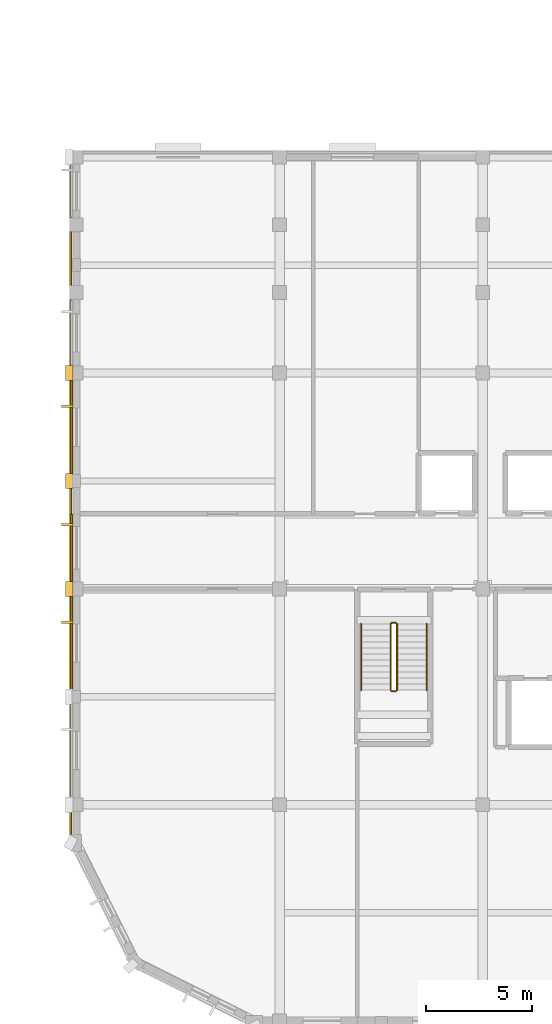
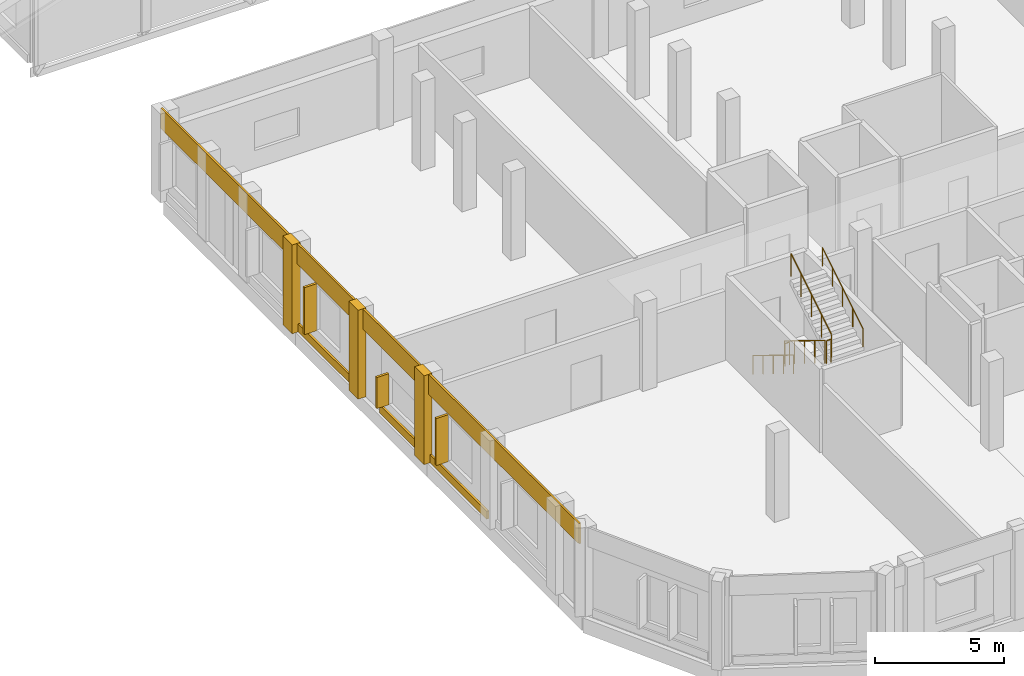
# One storey, part 189 of 200: 7 coverings, 6 railings, 3 shading devices.
"""IFC4 building model written with IfcOpenShell, lengths in metres."""

from ifc_helpers import new_model, si_unit, direction, frame, origin, origin_2d, place, context, subcontext, project, spatial, rectangle, circle, extrude, material, layer, layer_set, type_object, element, save


model = new_model("IFC4")

# Units and contexts
model_context = context("Model", 3, precision=1e-05, world=origin(), true_north=direction((0.0, 1.0)))
body_context = subcontext(model_context, "Body", "Model", "MODEL_VIEW")
ifc_project = project(units=[si_unit("LENGTHUNIT", "METRE"), si_unit("AREAUNIT", "SQUARE_METRE"), si_unit("VOLUMEUNIT", "CUBIC_METRE"), si_unit("PLANEANGLEUNIT", "RADIAN"), si_unit("MASSUNIT", "GRAM", prefix="KILO")], contexts=[model_context])

# Site, building, storey
site_placement = place(None, origin())
site = spatial("IfcSite", under=ifc_project, at=site_placement, CompositionType="ELEMENT")
building_placement = place(site_placement, origin())
building = spatial("IfcBuilding", under=site, at=building_placement, Name="Vondelvale Polytechnic", CompositionType="ELEMENT")
storey_placement = place(building_placement, frame((0.0, 0.0, 13.800048828125)))
storey = spatial("IfcBuildingStorey", under=building, at=storey_placement, Name="L03", CompositionType="ELEMENT", Elevation=13.800048828125)

# Coverings
ifc_material_1 = material(Name="Amsterdam School iron-spot clinker clay brickwork", Category="masonry")
ifc_layer_1 = layer(ifc_material_1, 0.090087890625)
ifc_layer_set_1 = layer_set([ifc_layer_1], Name="COV-BRICK-RELIEF")
covering_type = type_object("IfcCoveringType", Name="COV-BRICK-RELIEF", PredefinedType="CLADDING", material=ifc_layer_set_1)
covering_1_placement = place(storey_placement, frame((-0.264892578125, 24.60009765625, 3.239990234375), z_axis=(0.0, 0.0, 1.0), x_axis=(0.0, 1.0, 0.0)))
element("IfcCovering", 1, at=covering_1_placement, inside=storey, type_object=covering_type, Name="L03 exterior masonry spandrel band", PredefinedType="CLADDING", context=body_context, shape_type="SweptSolid", body=[
    extrude(rectangle(XDim=32.39990234375, YDim=0.090087890625, at=origin_2d()), origin(), (0.0, 0.0, 1.0), 0.9599609375),
])
covering_2_placement = place(storey_placement, frame((-0.2109375, 17.83740234375, 0.0), z_axis=(0.0, 0.0, 1.0), x_axis=(0.0, 1.0, 0.0)))
element("IfcCovering", 2, at=covering_2_placement, inside=storey, type_object=covering_type, Name="L03 exterior corbelled masonry relief band", PredefinedType="CLADDING", context=body_context, shape_type="SweptSolid", body=[
    extrude(rectangle(XDim=4.4130859375, YDim=0.090087890625, at=origin_2d()), origin(), (0.0, 0.0, 1.0), 0.3798828125),
])
covering_3_placement = place(storey_placement, frame((-0.2109375, 22.337890625, 0.0), z_axis=(0.0, 0.0, 1.0), x_axis=(0.0, 1.0, 0.0)))
element("IfcCovering", 3, at=covering_3_placement, inside=storey, type_object=covering_type, Name="L03 exterior corbelled masonry relief band", PredefinedType="CLADDING", context=body_context, shape_type="SweptSolid", body=[
    extrude(rectangle(XDim=3.1640625, YDim=0.090087890625, at=origin_2d()), origin(), (0.0, 0.0, 1.0), 0.3798828125),
])
covering_4_placement = place(storey_placement, frame((-0.2109375, 28.03759765625, 0.0), z_axis=(0.0, 0.0, 1.0), x_axis=(0.0, 1.0, 0.0)))
element("IfcCovering", 4, at=covering_4_placement, inside=storey, type_object=covering_type, Name="L03 exterior corbelled masonry relief band", PredefinedType="CLADDING", context=body_context, shape_type="SweptSolid", body=[
    extrude(rectangle(XDim=4.4130859375, YDim=0.090087890625, at=origin_2d()), origin(), (0.0, 0.0, 1.0), 0.3798828125),
])
for number, where, z_axis, x_axis, name in (
    (5, (-0.340087890625, 20.39990234375, 0.0), (0.0, 0.0, 1.0), (1.0, 0.0, 0.0), "L03 Classical street pilaster"),
    (6, (-0.340087890625, 25.5, 0.0), (0.0, 0.0, 1.0), (1.0, 0.0, 0.0), "L03 Classical street pilaster"),
    (7, (-0.340087890625, 30.60009765625, 0.0), (0.0, 0.0, 1.0), (1.0, 0.0, 0.0), "L03 Classical street pilaster"),
):
    element("IfcCovering", number, at=place(storey_placement, frame(where, z_axis=z_axis, x_axis=x_axis)), inside=storey, type_object=covering_type, Name=name, PredefinedType="CLADDING", context=body_context, shape_type="SweptSolid", body=[
        extrude(rectangle(XDim=0.360107421875, YDim=0.719970703125, at=origin_2d()), origin(), (0.0, 0.0, 1.0), 4.199951171875),
    ])

# Railings
ifc_material_2 = material(Name="Brushed architectural stainless and zinc-coated metal")
ifc_layer_2 = layer(ifc_material_2, 0.050048828125)
ifc_layer_set_2 = layer_set([ifc_layer_2], Name="RL-STAIR-GUARD")
railing_type_1 = type_object("IfcRailingType", Name="RL-STAIR-GUARD", PredefinedType="GUARDRAIL", material=ifc_layer_set_2)
railing_1_placement = place(storey_placement, frame((14.85009765625, 18.75, 0.175048828125)))
element("IfcRailing", 8, at=railing_1_placement, inside=storey, type_object=railing_type_1, Name="L03 ST-03 stair guard 1", PredefinedType="GUARDRAIL", context=body_context, shape_type="SweptSolid", body=[
    extrude(circle(Radius=0.02392578125, at=origin_2d()), frame((0.0, 0.0, 1.076171875), z_axis=(0.0, -0.852195625947, 0.523223293744), x_axis=(1.0, 0.0, 0.0)), (0.0, 0.0, 1.0), 3.6787109375),
    extrude(circle(Radius=0.02099609375, at=origin_2d()), origin(), (0.0, 0.0, 1.0), 1.052001953125),
    extrude(circle(Radius=0.02099609375, at=origin_2d()), frame((0.0, -0.78369140625, 0.481201171875)), (0.0, 0.0, 1.0), 1.052001953125),
    extrude(circle(Radius=0.02099609375, at=origin_2d()), frame((0.0, -1.5673828125, 0.96240234375)), (0.0, 0.0, 1.0), 1.052001953125),
    extrude(circle(Radius=0.02099609375, at=origin_2d()), frame((0.0, -2.351318359375, 1.443603515625)), (0.0, 0.0, 1.0), 1.052001953125),
    extrude(circle(Radius=0.02099609375, at=origin_2d()), frame((0.0, -3.135009765625, 1.9248046875)), (0.0, 0.0, 1.0), 1.052001953125),
])
railing_2_placement = place(storey_placement, frame((14.89990234375, 15.56494140625, 2.099853515625)))
element("IfcRailing", 9, at=railing_2_placement, inside=storey, type_object=railing_type_1, Name="L03 ST-03 stair guard 2", PredefinedType="GUARDRAIL", context=body_context, shape_type="SweptSolid", body=[
    extrude(circle(Radius=0.02392578125, at=origin_2d()), frame((0.0, 0.0, 1.076171875), z_axis=(1.0, 0.0, 0.0), x_axis=(0.0, 1.0, 0.0)), (0.0, 0.0, 1.0), 0.2001953125),
    extrude(circle(Radius=0.02099609375, at=origin_2d()), origin(), (0.0, 0.0, 1.0), 1.052001953125),
    extrude(circle(Radius=0.02099609375, at=origin_2d()), frame((0.2001953125, 0.0, 0.0)), (0.0, 0.0, 1.0), 1.052001953125),
])
railing_3_placement = place(storey_placement, frame((15.14990234375, 15.614990234375, 2.27490234375)))
element("IfcRailing", 10, at=railing_3_placement, inside=storey, type_object=railing_type_1, Name="L03 ST-03 stair guard 3", PredefinedType="GUARDRAIL", context=body_context, shape_type="SweptSolid", body=[
    extrude(circle(Radius=0.02392578125, at=origin_2d()), frame((0.0, 0.0, 1.076171875), z_axis=(0.0, 0.852166034122, 0.523271488128), x_axis=(-1.0, 0.0, 0.0)), (0.0, 0.0, 1.0), 3.678955078125),
    extrude(circle(Radius=0.02099609375, at=origin_2d()), origin(), (0.0, 0.0, 1.0), 1.052001953125),
    extrude(circle(Radius=0.02099609375, at=origin_2d()), frame((0.0, 0.78369140625, 0.481201171875)), (0.0, 0.0, 1.0), 1.052001953125),
    extrude(circle(Radius=0.02099609375, at=origin_2d()), frame((0.0, 1.5673828125, 0.96240234375)), (0.0, 0.0, 1.0), 1.052001953125),
    extrude(circle(Radius=0.02099609375, at=origin_2d()), frame((0.0, 2.351318359375, 1.44384765625)), (0.0, 0.0, 1.0), 1.052001953125),
    extrude(circle(Radius=0.02099609375, at=origin_2d()), frame((0.0, 3.135009765625, 1.925048828125)), (0.0, 0.0, 1.0), 1.052001953125),
])
railing_4_placement = place(storey_placement, frame((14.89990234375, 18.800048828125, 0.0)))
element("IfcRailing", 11, at=railing_4_placement, inside=storey, type_object=railing_type_1, Name="L03 ST-03 stair guard 4", PredefinedType="GUARDRAIL", context=body_context, shape_type="SweptSolid", body=[
    extrude(circle(Radius=0.02392578125, at=origin_2d()), frame((0.0, 0.0, 1.076171875), z_axis=(1.0, 0.0, 0.0), x_axis=(0.0, 1.0, 0.0)), (0.0, 0.0, 1.0), 0.2001953125),
    extrude(circle(Radius=0.02099609375, at=origin_2d()), origin(), (0.0, 0.0, 1.0), 1.052001953125),
    extrude(circle(Radius=0.02099609375, at=origin_2d()), frame((0.2001953125, 0.0, 0.0)), (0.0, 0.0, 1.0), 1.052001953125),
])
ifc_layer_3 = layer(ifc_material_2, 0.048095703125)
ifc_layer_set_3 = layer_set([ifc_layer_3], Name="RL-STAIR-HANDRAIL")
railing_type_2 = type_object("IfcRailingType", Name="RL-STAIR-HANDRAIL", PredefinedType="HANDRAIL", material=ifc_layer_set_3)
railing_5_placement = place(storey_placement, frame((13.449951171875, 18.75, 0.175048828125)))
element("IfcRailing", 12, at=railing_5_placement, inside=storey, type_object=railing_type_2, Name="L03 ST-03 stair handrail 1", PredefinedType="HANDRAIL", context=body_context, shape_type="SweptSolid", body=[
    extrude(circle(Radius=0.02392578125, at=origin_2d()), frame((0.0, 0.0, 0.8759765625), z_axis=(0.0, -0.852195625947, 0.523223293744), x_axis=(1.0, 0.0, 0.0)), (0.0, 0.0, 1.0), 3.6787109375),
    extrude(circle(Radius=0.02099609375, at=origin_2d()), origin(), (0.0, 0.0, 1.0), 0.851806640625),
    extrude(circle(Radius=0.02099609375, at=origin_2d()), frame((0.0, -0.78369140625, 0.481201171875)), (0.0, 0.0, 1.0), 0.851806640625),
    extrude(circle(Radius=0.02099609375, at=origin_2d()), frame((0.0, -1.5673828125, 0.96240234375)), (0.0, 0.0, 1.0), 0.851806640625),
    extrude(circle(Radius=0.02099609375, at=origin_2d()), frame((0.0, -2.351318359375, 1.443603515625)), (0.0, 0.0, 1.0), 0.851806640625),
    extrude(circle(Radius=0.02099609375, at=origin_2d()), frame((0.0, -3.135009765625, 1.9248046875)), (0.0, 0.0, 1.0), 0.851806640625),
])
railing_6_placement = place(storey_placement, frame((16.550048828125, 15.614990234375, 2.27490234375)))
element("IfcRailing", 13, at=railing_6_placement, inside=storey, type_object=railing_type_2, Name="L03 ST-03 stair handrail 2", PredefinedType="HANDRAIL", context=body_context, shape_type="SweptSolid", body=[
    extrude(circle(Radius=0.02392578125, at=origin_2d()), frame((0.0, 0.0, 0.8759765625), z_axis=(0.0, 0.852166034122, 0.523271488128), x_axis=(-1.0, 0.0, 0.0)), (0.0, 0.0, 1.0), 3.678955078125),
    extrude(circle(Radius=0.02099609375, at=origin_2d()), origin(), (0.0, 0.0, 1.0), 0.851806640625),
    extrude(circle(Radius=0.02099609375, at=origin_2d()), frame((0.0, 0.78369140625, 0.481201171875)), (0.0, 0.0, 1.0), 0.851806640625),
    extrude(circle(Radius=0.02099609375, at=origin_2d()), frame((0.0, 1.5673828125, 0.96240234375)), (0.0, 0.0, 1.0), 0.851806640625),
    extrude(circle(Radius=0.02099609375, at=origin_2d()), frame((0.0, 2.351318359375, 1.44384765625)), (0.0, 0.0, 1.0), 0.851806640625),
    extrude(circle(Radius=0.02099609375, at=origin_2d()), frame((0.0, 3.135009765625, 1.925048828125)), (0.0, 0.0, 1.0), 0.851806640625),
])

# Shading devices
ifc_material_3 = material(Name="Kiln-fired architectural terracotta", Category="masonry")
shading_device_type = type_object("IfcShadingDeviceType", Name="SHD-TERRA-FIN-550", PredefinedType="JALOUSIE", material=ifc_material_3)
shading_device_1_placement = place(storey_placement, frame((-0.429931640625, 18.827392578125, 0.7900390625), z_axis=(0.0, 0.0, 1.0), x_axis=(0.0, 1.0, 0.0)))
element("IfcShadingDevice", 14, at=shading_device_1_placement, inside=storey, type_object=shading_device_type, Name="L03 vertical terracotta solar fin", PredefinedType="JALOUSIE", context=body_context, shape_type="SweptSolid", body=[
    extrude(rectangle(XDim=0.110107421875, YDim=0.550048828125, at=origin_2d()), origin(), (0.0, 0.0, 1.0), 2.219970703125),
])
shading_device_2_placement = place(storey_placement, frame((-0.429931640625, 23.427978515625, 0.68994140625), z_axis=(0.0, 0.0, 1.0), x_axis=(0.0, 1.0, 0.0)))
element("IfcShadingDevice", 15, at=shading_device_2_placement, inside=storey, type_object=shading_device_type, Name="L03 vertical terracotta solar fin", PredefinedType="JALOUSIE", context=body_context, shape_type="SweptSolid", body=[
    extrude(rectangle(XDim=0.110107421875, YDim=0.550048828125, at=origin_2d()), origin(), (0.0, 0.0, 1.0), 1.469970703125),
])
shading_device_3_placement = place(storey_placement, frame((-0.429931640625, 29.027587890625, 0.7900390625), z_axis=(0.0, 0.0, 1.0), x_axis=(0.0, 1.0, 0.0)))
element("IfcShadingDevice", 16, at=shading_device_3_placement, inside=storey, type_object=shading_device_type, Name="L03 vertical terracotta solar fin", PredefinedType="JALOUSIE", context=body_context, shape_type="SweptSolid", body=[
    extrude(rectangle(XDim=0.110107421875, YDim=0.550048828125, at=origin_2d()), origin(), (0.0, 0.0, 1.0), 2.219970703125),
])

save(model, "model.ifc")
